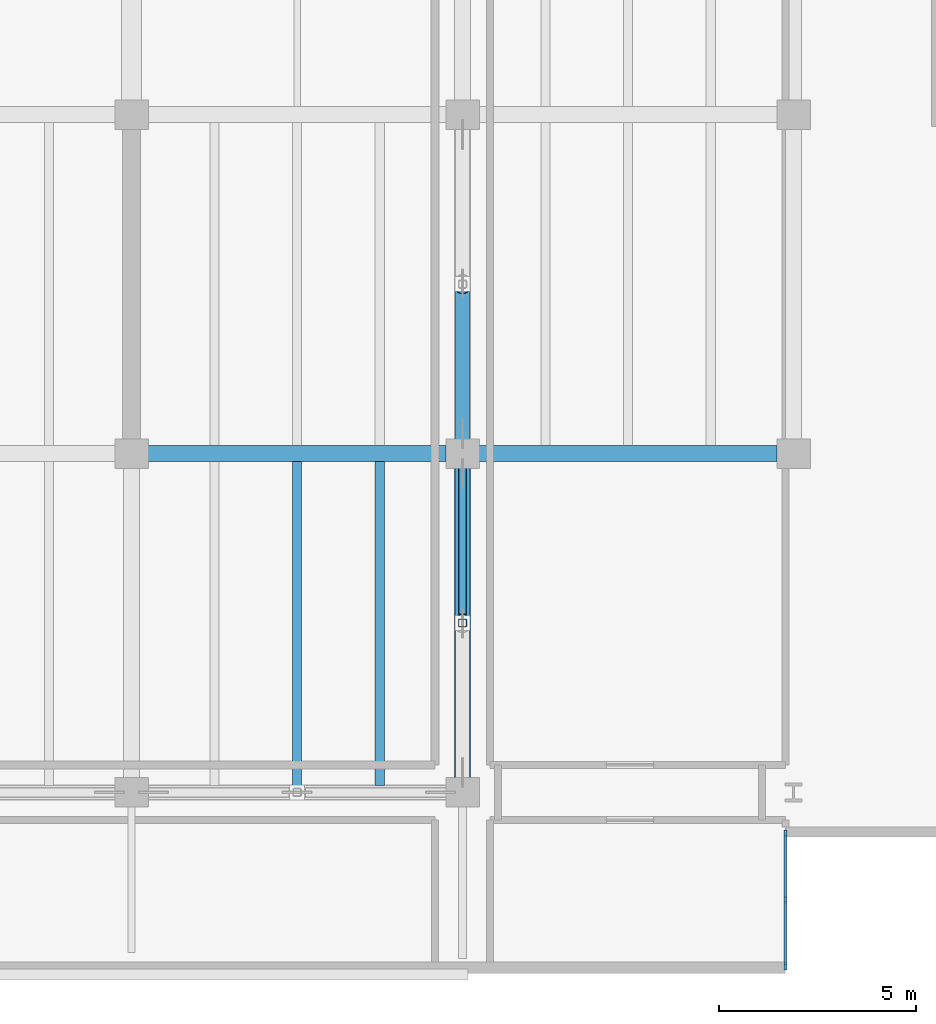
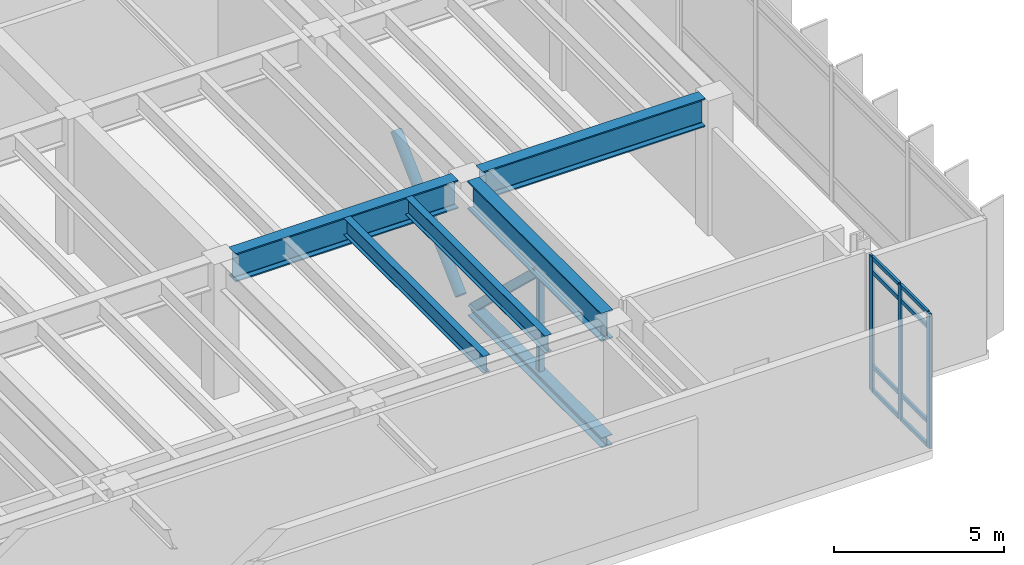
# One storey, part 7 of 23: 14 members, 6 beams, 1 element without a shape of its own.
"""IFC4 building model written with IfcOpenShell, lengths in metres."""

from ifc_helpers import new_model, si_unit, direction, frame, origin, origin_2d, place, context, subcontext, project, spatial, rectangle, hollow_rectangle, hollow_circle, i_section, extrude, material, layer, layer_set, material_profile, profile_set, type_object, element, aggregate, save


model = new_model("IFC4")

# Units and contexts
model_context = context("Model", 3, precision=1e-05, world=origin(), true_north=direction((0.0, 1.0)))
body_context = subcontext(model_context, "Body", "Model", "MODEL_VIEW")
ifc_project = project(units=[si_unit("LENGTHUNIT", "METRE"), si_unit("AREAUNIT", "SQUARE_METRE"), si_unit("VOLUMEUNIT", "CUBIC_METRE"), si_unit("PLANEANGLEUNIT", "RADIAN"), si_unit("MASSUNIT", "GRAM", prefix="KILO")], contexts=[model_context])

# Site, building, storey
site_placement = place(None, origin())
site = spatial("IfcSite", under=ifc_project, at=site_placement, CompositionType="ELEMENT")
building_placement = place(site_placement, origin())
building = spatial("IfcBuilding", under=site, at=building_placement, Name="Caelmar Bay Residences", CompositionType="ELEMENT")
storey_placement = place(building_placement, frame((0.0, 0.0, 221.39990234375)))
storey = spatial("IfcBuildingStorey", under=building, at=storey_placement, Name="L62", CompositionType="ELEMENT", Elevation=221.39990234375)

# Beams
ifc_material_1 = material(Name="Steel ASTM A992 Grade 50", Category="steel")
ifc_material_profile_1 = material_profile(ifc_material_1, i_section(OverallWidth=0.373046875, OverallDepth=0.373046875, WebThickness=0.016357421875, FlangeThickness=0.026123046875, FilletRadius=0.01513671875, at=origin_2d()), Name="W14X132")
ifc_profile_set_1 = profile_set([ifc_material_profile_1], Name="Steel ASTM A992 Grade 50")
beam_type_1 = type_object("IfcBeamType", Name="BM-CHD-W14X132", PredefinedType="BEAM", material=ifc_profile_set_1)
beam_1_placement = place(storey_placement, frame((59.5, 12.56494140625, 0.1865234375), z_axis=(0.0, 1.0, 0.0), x_axis=(-1.0, 0.0, 0.0)))
element("IfcBeam", 1, at=beam_1_placement, inside=storey, type_object=beam_type_1, Name="L62 Outrigger Bottom Chord 3", PredefinedType="BEAM", context=body_context, shape_type="SweptSolid", body=[
    extrude(i_section(OverallWidth=0.373046875, OverallDepth=0.373046875, WebThickness=0.016357421875, FlangeThickness=0.026123046875, FilletRadius=0.01513671875, at=origin_2d()), origin(), (0.0, 0.0, 1.0), 7.8701171875),
])
ifc_material_profile_2 = material_profile(ifc_material_1, i_section(OverallWidth=0.404052734375, OverallDepth=1.02099609375, WebThickness=0.025390625, FlangeThickness=0.0458984375, FilletRadius=0.02294921875, at=origin_2d()), Name="W40X324")
ifc_profile_set_2 = profile_set([ifc_material_profile_2], Name="Steel ASTM A992 Grade 50")
beam_type_2 = type_object("IfcBeamType", Name="BM-GRD-W40X324", PredefinedType="BEAM", material=ifc_profile_set_2)
for number, where, z_axis, x_axis, name in (
    (2, (51.514892578125, 20.800048828125, 4.339599609375), (1.0, 0.0, 0.0), (0.0, 1.0, 0.0), "L62 East-West Girder Y=20.80 (51.1-59.5)"),
    (3, (59.9150390625, 20.800048828125, 4.339599609375), (1.0, 0.0, 0.0), (0.0, 1.0, 0.0), "L62 East-West Girder Y=20.80 (59.5-67.9)"),
):
    element("IfcBeam", number, at=place(storey_placement, frame(where, z_axis=z_axis, x_axis=x_axis)), inside=storey, type_object=beam_type_2, Name=name, PredefinedType="BEAM", context=body_context, shape_type="SweptSolid", body=[
        extrude(i_section(OverallWidth=0.404052734375, OverallDepth=1.02099609375, WebThickness=0.025390625, FlangeThickness=0.0458984375, FilletRadius=0.02294921875, at=origin_2d()), origin(), (0.0, 0.0, 1.0), 7.570068359375),
    ])
beam_2_placement = place(storey_placement, frame((59.5, 12.56494140625, 4.339599609375), z_axis=(0.0, 1.0, 0.0), x_axis=(-1.0, 0.0, 0.0)))
element("IfcBeam", 4, at=beam_2_placement, inside=storey, type_object=beam_type_2, Name="L62 North-South Girder X=59.50 (12.2-20.8)", PredefinedType="BEAM", context=body_context, shape_type="SweptSolid", body=[
    extrude(i_section(OverallWidth=0.404052734375, OverallDepth=1.02099609375, WebThickness=0.025390625, FlangeThickness=0.0458984375, FilletRadius=0.02294921875, at=origin_2d()), origin(), (0.0, 0.0, 1.0), 7.8701171875),
])
ifc_material_profile_3 = material_profile(ifc_material_1, i_section(OverallWidth=0.22900390625, OverallDepth=0.612060546875, WebThickness=0.011962890625, FlangeThickness=0.01953125, FilletRadius=0.0126953125, at=origin_2d()), Name="W24X84")
ifc_profile_set_3 = profile_set([ifc_material_profile_3], Name="Steel ASTM A992 Grade 50")
beam_type_3 = type_object("IfcBeamType", Name="BM-JST-W24X84", PredefinedType="JOIST", material=ifc_profile_set_3)
for number, where, z_axis, x_axis, name in (
    (5, (55.300048828125, 12.3779296875, 4.544189453125), (0.0, 1.0, 0.0), (-1.0, 0.0, 0.0), "L62 Composite Floor Joist 14"),
    (6, (57.39990234375, 12.3779296875, 4.544189453125), (0.0, 1.0, 0.0), (-1.0, 0.0, 0.0), "L62 Composite Floor Joist 15"),
):
    element("IfcBeam", number, at=place(storey_placement, frame(where, z_axis=z_axis, x_axis=x_axis)), inside=storey, type_object=beam_type_3, Name=name, PredefinedType="JOIST", context=body_context, shape_type="SweptSolid", body=[
        extrude(i_section(OverallWidth=0.22900390625, OverallDepth=0.612060546875, WebThickness=0.011962890625, FlangeThickness=0.01953125, FilletRadius=0.0126953125, at=origin_2d()), origin(), (0.0, 0.0, 1.0), 8.219970703125),
    ])

# Curtain wall, members
ifc_material_2 = material(Name="Anodised bronze aluminium 6063-T6 and laminated glass", Category="aluminium")
ifc_layer = layer(ifc_material_2, 0.179931640625)
ifc_layer_set = layer_set([ifc_layer], Name="Anodised bronze aluminium 6063-T6 and laminated glass")
curtain_wall_type = type_object("IfcCurtainWallType", Name="CW6-NTC", PredefinedType="NOTDEFINED", material=ifc_layer_set)
curtain_wall_placement = place(storey_placement, origin())
curtain_wall = element("IfcCurtainWall", 7, at=curtain_wall_placement, inside=storey, type_object=curtain_wall_type, Name="CW6 curtain wall L62", PredefinedType="NOTDEFINED")
ifc_material_3 = material(Name="Anodised bronze aluminium 6063-T6", Category="aluminium")
ifc_material_profile_4 = material_profile(ifc_material_3, rectangle(XDim=0.080078125, YDim=0.179931640625, at=origin_2d()), Name="CWM-80X180")
ifc_profile_set_4 = profile_set([ifc_material_profile_4], Name="Anodised bronze aluminium 6063-T6")
member_type_1 = type_object("IfcMemberType", Name="CWM-180", PredefinedType="MULLION", material=ifc_profile_set_4)
member_1_placement = place(storey_placement, frame((67.699951171875, 7.7900390625, 0.0), z_axis=(0.0, 0.0, 1.0), x_axis=(-1.0, 0.0, 0.0)))
member_1 = element("IfcMember", 8, at=member_1_placement, type_object=member_type_1, Name="CW6 mullion 1", PredefinedType="MULLION", context=body_context, shape_type="SweptSolid", body=[
    extrude(rectangle(XDim=0.080078125, YDim=0.179931640625, at=origin_2d()), origin(), (0.0, 0.0, 1.0), 4.85009765625),
])
member_2_placement = place(storey_placement, frame((67.699951171875, 9.47509765625, 0.0), z_axis=(0.0, 0.0, 1.0), x_axis=(-1.0, 0.0, 0.0)))
member_2 = element("IfcMember", 9, at=member_2_placement, type_object=member_type_1, Name="CW6 mullion 2", PredefinedType="MULLION", context=body_context, shape_type="SweptSolid", body=[
    extrude(rectangle(XDim=0.080078125, YDim=0.179931640625, at=origin_2d()), origin(), (0.0, 0.0, 1.0), 4.85009765625),
])
member_3_placement = place(storey_placement, frame((67.699951171875, 11.159912109375, 0.0), z_axis=(0.0, 0.0, 1.0), x_axis=(-1.0, 0.0, 0.0)))
member_3 = element("IfcMember", 10, at=member_3_placement, type_object=member_type_1, Name="CW6 mullion 3", PredefinedType="MULLION", context=body_context, shape_type="SweptSolid", body=[
    extrude(rectangle(XDim=0.080078125, YDim=0.179931640625, at=origin_2d()), origin(), (0.0, 0.0, 1.0), 4.85009765625),
])
ifc_material_profile_5 = material_profile(ifc_material_3, rectangle(XDim=0.080078125, YDim=0.139892578125, at=origin_2d()), Name="CWT-80X140")
ifc_profile_set_5 = profile_set([ifc_material_profile_5], Name="Anodised bronze aluminium 6063-T6")
member_type_2 = type_object("IfcMemberType", Name="CWT-140", PredefinedType="NOTDEFINED", material=ifc_profile_set_5)
member_4_placement = place(storey_placement, frame((67.699951171875, 7.830078125, 0.0400390625), z_axis=(0.0, 1.0, 0.0), x_axis=(-1.0, 0.0, 0.0)))
member_4 = element("IfcMember", 11, at=member_4_placement, type_object=member_type_2, Name="CW6 transom 1.1", ObjectType="TRANSOM", PredefinedType="USERDEFINED", context=body_context, shape_type="SweptSolid", body=[
    extrude(rectangle(XDim=0.080078125, YDim=0.139892578125, at=origin_2d()), origin(), (0.0, 0.0, 1.0), 1.60498046875),
])
member_5_placement = place(storey_placement, frame((67.699951171875, 7.830078125, 0.900146484375), z_axis=(0.0, 1.0, 0.0), x_axis=(-1.0, 0.0, 0.0)))
member_5 = element("IfcMember", 12, at=member_5_placement, type_object=member_type_2, Name="CW6 transom 1.2", ObjectType="TRANSOM", PredefinedType="USERDEFINED", context=body_context, shape_type="SweptSolid", body=[
    extrude(rectangle(XDim=0.080078125, YDim=0.139892578125, at=origin_2d()), origin(), (0.0, 0.0, 1.0), 1.60498046875),
])
member_6_placement = place(storey_placement, frame((67.699951171875, 7.830078125, 4.300048828125), z_axis=(0.0, 1.0, 0.0), x_axis=(-1.0, 0.0, 0.0)))
member_6 = element("IfcMember", 13, at=member_6_placement, type_object=member_type_2, Name="CW6 transom 1.3", ObjectType="TRANSOM", PredefinedType="USERDEFINED", context=body_context, shape_type="SweptSolid", body=[
    extrude(rectangle(XDim=0.080078125, YDim=0.139892578125, at=origin_2d()), origin(), (0.0, 0.0, 1.0), 1.60498046875),
])
member_7_placement = place(storey_placement, frame((67.699951171875, 7.830078125, 4.81005859375), z_axis=(0.0, 1.0, 0.0), x_axis=(-1.0, 0.0, 0.0)))
member_7 = element("IfcMember", 14, at=member_7_placement, type_object=member_type_2, Name="CW6 transom 1.4", ObjectType="TRANSOM", PredefinedType="USERDEFINED", context=body_context, shape_type="SweptSolid", body=[
    extrude(rectangle(XDim=0.080078125, YDim=0.139892578125, at=origin_2d()), origin(), (0.0, 0.0, 1.0), 1.60498046875),
])
member_8_placement = place(storey_placement, frame((67.699951171875, 9.514892578125, 0.0400390625), z_axis=(0.0, 1.0, 0.0), x_axis=(-1.0, 0.0, 0.0)))
member_8 = element("IfcMember", 15, at=member_8_placement, type_object=member_type_2, Name="CW6 transom 2.1", ObjectType="TRANSOM", PredefinedType="USERDEFINED", context=body_context, shape_type="SweptSolid", body=[
    extrude(rectangle(XDim=0.080078125, YDim=0.139892578125, at=origin_2d()), origin(), (0.0, 0.0, 1.0), 1.605224609375),
])
member_9_placement = place(storey_placement, frame((67.699951171875, 9.514892578125, 0.900146484375), z_axis=(0.0, 1.0, 0.0), x_axis=(-1.0, 0.0, 0.0)))
member_9 = element("IfcMember", 16, at=member_9_placement, type_object=member_type_2, Name="CW6 transom 2.2", ObjectType="TRANSOM", PredefinedType="USERDEFINED", context=body_context, shape_type="SweptSolid", body=[
    extrude(rectangle(XDim=0.080078125, YDim=0.139892578125, at=origin_2d()), origin(), (0.0, 0.0, 1.0), 1.605224609375),
])
member_10_placement = place(storey_placement, frame((67.699951171875, 9.514892578125, 4.300048828125), z_axis=(0.0, 1.0, 0.0), x_axis=(-1.0, 0.0, 0.0)))
member_10 = element("IfcMember", 17, at=member_10_placement, type_object=member_type_2, Name="CW6 transom 2.3", ObjectType="TRANSOM", PredefinedType="USERDEFINED", context=body_context, shape_type="SweptSolid", body=[
    extrude(rectangle(XDim=0.080078125, YDim=0.139892578125, at=origin_2d()), origin(), (0.0, 0.0, 1.0), 1.605224609375),
])
member_11_placement = place(storey_placement, frame((67.699951171875, 9.514892578125, 4.81005859375), z_axis=(0.0, 1.0, 0.0), x_axis=(-1.0, 0.0, 0.0)))
member_11 = element("IfcMember", 18, at=member_11_placement, type_object=member_type_2, Name="CW6 transom 2.4", ObjectType="TRANSOM", PredefinedType="USERDEFINED", context=body_context, shape_type="SweptSolid", body=[
    extrude(rectangle(XDim=0.080078125, YDim=0.139892578125, at=origin_2d()), origin(), (0.0, 0.0, 1.0), 1.605224609375),
])
aggregate(curtain_wall, [member_1, member_2, member_3, member_4, member_5, member_6, member_7, member_8, member_9, member_10, member_11])

# Members
ifc_material_4 = material(Name="Steel ASTM A500 Grade C", Category="steel")
ifc_material_profile_6 = material_profile(ifc_material_4, hollow_rectangle(XDim=0.202880859375, YDim=0.304931640625, WallThickness=0.014892578125, InnerFilletRadius=0.014892578125, OuterFilletRadius=0.029541015625, at=origin_2d()), Name="HSS300X200X15.9")
ifc_profile_set_6 = profile_set([ifc_material_profile_6], Name="Steel ASTM A500 Grade C")
member_type_3 = type_object("IfcMemberType", Name="MEM-CHD-HSS300X200", PredefinedType="CHORD", material=ifc_profile_set_6)
member_12_placement = place(storey_placement, frame((59.5, 20.43505859375, 0.22021484375), z_axis=(0.0, -0.725038820171, 0.688707999987), x_axis=(1.0, 0.0, 0.0)))
element("IfcMember", 19, at=member_12_placement, inside=storey, type_object=member_type_3, Name="L62 Outrigger Secondary Diagonal 3B", PredefinedType="CHORD", context=body_context, shape_type="SweptSolid", body=[
    extrude(hollow_rectangle(XDim=0.202880859375, YDim=0.304931640625, WallThickness=0.014892578125, InnerFilletRadius=0.014892578125, OuterFilletRadius=0.029541015625, at=origin_2d()), origin(), (0.0, 0.0, 1.0), 5.26171875),
])
ifc_material_profile_7 = material_profile(ifc_material_4, hollow_circle(Radius=0.177978515625, WallThickness=0.017578125, at=origin_2d()), Name="CHS356X19.1")
ifc_profile_set_7 = profile_set([ifc_material_profile_7], Name="Steel ASTM A500 Grade C")
member_type_4 = type_object("IfcMemberType", Name="MEM-OUT-CHS356", PredefinedType="BRACE", material=ifc_profile_set_7)
member_13_placement = place(storey_placement, frame((59.5, 21.1650390625, 0.22021484375), z_axis=(0.0, 0.725038820171, 0.688707999987), x_axis=(-1.0, 0.0, 0.0)))
element("IfcMember", 20, at=member_13_placement, inside=storey, type_object=member_type_4, Name="L62 Outrigger Diagonal 4A", PredefinedType="BRACE", context=body_context, shape_type="SweptSolid", body=[
    extrude(hollow_circle(Radius=0.177978515625, WallThickness=0.017578125, at=origin_2d()), origin(), (0.0, 0.0, 1.0), 5.26171875),
])
ifc_material_profile_8 = material_profile(ifc_material_4, hollow_rectangle(XDim=0.202880859375, YDim=0.202880859375, WallThickness=0.01171875, InnerFilletRadius=0.01171875, OuterFilletRadius=0.023681640625, at=origin_2d()), Name="HSS200X200X12.7")
ifc_profile_set_8 = profile_set([ifc_material_profile_8], Name="Steel ASTM A500 Grade C")
member_type_5 = type_object("IfcMemberType", Name="MEM-PST-HSS200", PredefinedType="POST", material=ifc_profile_set_8)
member_14_placement = place(storey_placement, frame((59.5, 16.5, 0.373046875), z_axis=(0.0, 0.0, 1.0), x_axis=(1.0, 0.0, 0.0)))
element("IfcMember", 21, at=member_14_placement, inside=storey, type_object=member_type_5, Name="L62 Outrigger Web Post 3", PredefinedType="POST", context=body_context, shape_type="SweptSolid", body=[
    extrude(hollow_rectangle(XDim=0.202880859375, YDim=0.202880859375, WallThickness=0.01171875, InnerFilletRadius=0.01171875, OuterFilletRadius=0.023681640625, at=origin_2d()), origin(), (0.0, 0.0, 1.0), 3.470947265625),
])

save(model, "model.ifc")
